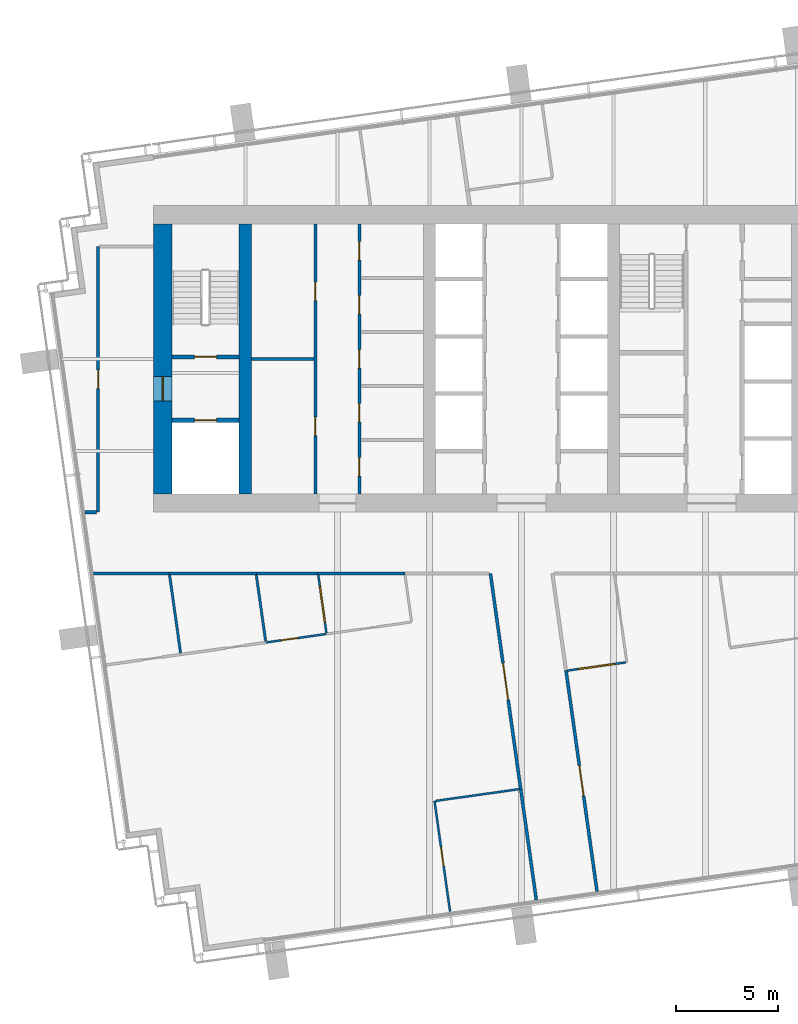
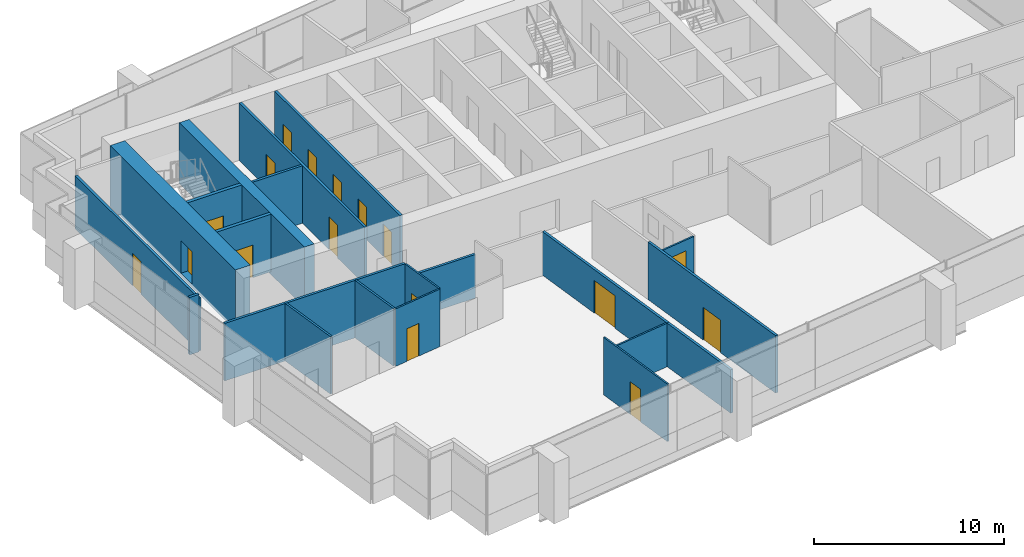
# One storey, part 9 of 18: 23 walls, 15 doors, 2 windows, 17 openings.
"""IFC4 building model written with IfcOpenShell, lengths in metres."""

from ifc_helpers import new_model, si_unit, direction, frame, frame_2d, origin, place, context, subcontext, project, spatial, rectangle, extrude, material, layer, layer_set, type_object, element, fill, save


model = new_model("IFC4")

# Units and contexts
model_context = context("Model", 3, precision=1e-05, world=origin(), true_north=direction((0.0, 1.0)))
body_context = subcontext(model_context, "Body", "Model", "MODEL_VIEW")
ifc_project = project(units=[si_unit("LENGTHUNIT", "METRE"), si_unit("AREAUNIT", "SQUARE_METRE"), si_unit("VOLUMEUNIT", "CUBIC_METRE"), si_unit("PLANEANGLEUNIT", "RADIAN"), si_unit("MASSUNIT", "GRAM", prefix="KILO")], contexts=[model_context])

# Site, building, storey
site_placement = place(None, origin())
site = spatial("IfcSite", under=ifc_project, at=site_placement, CompositionType="ELEMENT")
building_placement = place(site_placement, origin())
building = spatial("IfcBuilding", under=site, at=building_placement, Name="Rattan Terrace Tower", CompositionType="ELEMENT")
storey_placement = place(building_placement, frame((0.0, 0.0, 233.0)))
storey = spatial("IfcBuildingStorey", under=building, at=storey_placement, Name="L53", CompositionType="ELEMENT", Elevation=233.0)

# Wall, openings, doors
ifc_material_1 = material(Name="Gypsum board partition")
ifc_layer_1 = layer(ifc_material_1, 0.14990234375)
ifc_layer_set_1 = layer_set([ifc_layer_1], Name="Core partition 150")
wall_type_1 = type_object("IfcWallType", Name="Core partition 150", PredefinedType="PARTITIONING", material=ifc_layer_set_1)
wall_1_placement = place(storey_placement, frame((-10.074951171875, -6.60009765625, 0.0), z_axis=(0.0, 0.0, 1.0), x_axis=(0.0, 1.0, 0.0)))
wall_1 = element("IfcWall", 1, at=wall_1_placement, inside=storey, type_object=wall_type_1, Name="Core room wall", PredefinedType="PARTITIONING", context=body_context, shape_type="SweptSolid", body=[
    extrude(rectangle(XDim=13.2001953125, YDim=0.14990234375, at=frame_2d((6.60009765625, 0.0))), origin(), (0.0, 0.0, 1.0), 3.699951171875),
])
opening_1_placement = place(wall_1_placement, frame((2.85009765625, 0.0, 0.0)))
opening_1 = element("IfcOpeningElement", 2, at=opening_1_placement, cuts=wall_1, Name="Opening L53-D005", PredefinedType="OPENING", context=body_context, shape_type="SweptSolid", body=[
    extrude(rectangle(XDim=0.89990234375, YDim=2.10009765625, at=frame_2d((0.449951171875, 1.050048828125))), frame((0.0, 0.08544921875, 0.0), z_axis=(0.0, -1.0, 0.0), x_axis=(1.0, 0.0, 0.0)), (0.0, 0.0, 1.0), 0.1708984375),
])
opening_2_placement = place(wall_1_placement, frame((9.449951171875, 0.0, 0.0)))
opening_2 = element("IfcOpeningElement", 3, at=opening_2_placement, cuts=wall_1, Name="Opening L53-D006", PredefinedType="OPENING", context=body_context, shape_type="SweptSolid", body=[
    extrude(rectangle(XDim=0.89990234375, YDim=2.10009765625, at=frame_2d((0.449951171875, 1.050048828125))), frame((0.0, 0.08544921875, 0.0), z_axis=(0.0, -1.0, 0.0), x_axis=(1.0, 0.0, 0.0)), (0.0, 0.0, 1.0), 0.1708984375),
])
ifc_material_2 = material(Name="Hollow-metal fire door leaf")
door_type_1 = type_object("IfcDoorType", Name="Core service room door 900", OperationType="NOTDEFINED", PredefinedType="DOOR", material=ifc_material_2)
door_1_placement = place(opening_1_placement, origin())
door_1 = element("IfcDoor", 4, at=door_1_placement, inside=storey, type_object=door_type_1, Name="Door L53-D005", OperationType="SINGLE_SWING_LEFT", OverallHeight=2.10009765625, OverallWidth=0.89990234375, PredefinedType="DOOR", context=body_context, shape_type="SweptSolid", body=[
    extrude(rectangle(XDim=0.89990234375, YDim=2.10009765625, at=frame_2d((0.449951171875, 1.050048828125))), frame((0.0, 0.02490234375, 0.0), z_axis=(0.0, -1.0, 0.0), x_axis=(1.0, 0.0, 0.0)), (0.0, 0.0, 1.0), 0.050048828125),
])
fill(opening_1, door_1)
door_2_placement = place(opening_2_placement, origin())
door_2 = element("IfcDoor", 5, at=door_2_placement, inside=storey, type_object=door_type_1, Name="Door L53-D006", OperationType="SINGLE_SWING_RIGHT", OverallHeight=2.10009765625, OverallWidth=0.89990234375, PredefinedType="DOOR", context=body_context, shape_type="SweptSolid", body=[
    extrude(rectangle(XDim=0.89990234375, YDim=2.10009765625, at=frame_2d((0.449951171875, 1.050048828125))), frame((0.0, 0.02490234375, 0.0), z_axis=(0.0, -1.0, 0.0), x_axis=(1.0, 0.0, 0.0)), (0.0, 0.0, 1.0), 0.050048828125),
])
fill(opening_2, door_2)

# Wall
wall_2_placement = place(storey_placement, frame((-13.199951171875, 0.0, 0.0), z_axis=(0.0, 0.0, 1.0), x_axis=(1.0, 0.0, 0.0)))
element("IfcWall", 6, at=wall_2_placement, inside=storey, type_object=wall_type_1, Name="Core room wall", PredefinedType="PARTITIONING", context=body_context, shape_type="SweptSolid", body=[
    extrude(rectangle(XDim=3.050048828125, YDim=0.14990234375, at=frame_2d((1.52490234375, 0.0))), origin(), (0.0, 0.0, 1.0), 3.699951171875),
])

# Wall, openings, doors
wall_3_placement = place(storey_placement, frame((-7.925048828125, -6.60009765625, 0.0), z_axis=(0.0, 0.0, 1.0), x_axis=(0.0, 1.0, 0.0)))
wall_3 = element("IfcWall", 7, at=wall_3_placement, inside=storey, type_object=wall_type_1, Name="Core room wall", PredefinedType="PARTITIONING", context=body_context, shape_type="SweptSolid", body=[
    extrude(rectangle(XDim=13.2001953125, YDim=0.14990234375, at=frame_2d((6.60009765625, 0.0))), origin(), (0.0, 0.0, 1.0), 3.699951171875),
])
opening_3_placement = place(wall_3_placement, frame((0.8701171875, 0.0, 0.0)))
opening_3 = element("IfcOpeningElement", 8, at=opening_3_placement, cuts=wall_3, Name="Opening L53-D007", PredefinedType="OPENING", context=body_context, shape_type="SweptSolid", body=[
    extrude(rectangle(XDim=0.89990234375, YDim=2.10009765625, at=frame_2d((0.449951171875, 1.050048828125))), frame((0.0, 0.08544921875, 0.0), z_axis=(0.0, -1.0, 0.0), x_axis=(1.0, 0.0, 0.0)), (0.0, 0.0, 1.0), 0.1708984375),
])
opening_4_placement = place(wall_3_placement, frame((3.510009765625, 0.0, 0.0)))
opening_4 = element("IfcOpeningElement", 9, at=opening_4_placement, cuts=wall_3, Name="Opening L53-D008", PredefinedType="OPENING", context=body_context, shape_type="SweptSolid", body=[
    extrude(rectangle(XDim=0.89990234375, YDim=2.10009765625, at=frame_2d((0.449951171875, 1.050048828125))), frame((0.0, 0.08544921875, 0.0), z_axis=(0.0, -1.0, 0.0), x_axis=(1.0, 0.0, 0.0)), (0.0, 0.0, 1.0), 0.1708984375),
])
opening_5_placement = place(wall_3_placement, frame((6.14990234375, 0.0, 0.0)))
opening_5 = element("IfcOpeningElement", 10, at=opening_5_placement, cuts=wall_3, Name="Opening L53-D009", PredefinedType="OPENING", context=body_context, shape_type="SweptSolid", body=[
    extrude(rectangle(XDim=0.89990234375, YDim=2.10009765625, at=frame_2d((0.449951171875, 1.050048828125))), frame((0.0, 0.08544921875, 0.0), z_axis=(0.0, -1.0, 0.0), x_axis=(1.0, 0.0, 0.0)), (0.0, 0.0, 1.0), 0.1708984375),
])
opening_6_placement = place(wall_3_placement, frame((8.7900390625, 0.0, 0.0)))
opening_6 = element("IfcOpeningElement", 11, at=opening_6_placement, cuts=wall_3, Name="Opening L53-D010", PredefinedType="OPENING", context=body_context, shape_type="SweptSolid", body=[
    extrude(rectangle(XDim=0.89990234375, YDim=2.10009765625, at=frame_2d((0.449951171875, 1.050048828125))), frame((0.0, 0.08544921875, 0.0), z_axis=(0.0, -1.0, 0.0), x_axis=(1.0, 0.0, 0.0)), (0.0, 0.0, 1.0), 0.1708984375),
])
opening_7_placement = place(wall_3_placement, frame((11.429931640625, 0.0, 0.0)))
opening_7 = element("IfcOpeningElement", 12, at=opening_7_placement, cuts=wall_3, Name="Opening L53-D011", PredefinedType="OPENING", context=body_context, shape_type="SweptSolid", body=[
    extrude(rectangle(XDim=0.89990234375, YDim=2.10009765625, at=frame_2d((0.449951171875, 1.050048828125))), frame((0.0, 0.08544921875, 0.0), z_axis=(0.0, -1.0, 0.0), x_axis=(1.0, 0.0, 0.0)), (0.0, 0.0, 1.0), 0.1708984375),
])
door_3_placement = place(opening_3_placement, origin())
door_3 = element("IfcDoor", 13, at=door_3_placement, inside=storey, type_object=door_type_1, Name="Door L53-D007", OperationType="SINGLE_SWING_LEFT", OverallHeight=2.10009765625, OverallWidth=0.89990234375, PredefinedType="DOOR", context=body_context, shape_type="SweptSolid", body=[
    extrude(rectangle(XDim=0.89990234375, YDim=2.10009765625, at=frame_2d((0.449951171875, 1.050048828125))), frame((0.0, 0.02490234375, 0.0), z_axis=(0.0, -1.0, 0.0), x_axis=(1.0, 0.0, 0.0)), (0.0, 0.0, 1.0), 0.050048828125),
])
fill(opening_3, door_3)
door_4_placement = place(opening_4_placement, origin())
door_4 = element("IfcDoor", 14, at=door_4_placement, inside=storey, type_object=door_type_1, Name="Door L53-D008", OperationType="SINGLE_SWING_RIGHT", OverallHeight=2.10009765625, OverallWidth=0.89990234375, PredefinedType="DOOR", context=body_context, shape_type="SweptSolid", body=[
    extrude(rectangle(XDim=0.89990234375, YDim=2.10009765625, at=frame_2d((0.449951171875, 1.050048828125))), frame((0.0, 0.02490234375, 0.0), z_axis=(0.0, -1.0, 0.0), x_axis=(1.0, 0.0, 0.0)), (0.0, 0.0, 1.0), 0.050048828125),
])
fill(opening_4, door_4)
door_5_placement = place(opening_5_placement, origin())
door_5 = element("IfcDoor", 15, at=door_5_placement, inside=storey, type_object=door_type_1, Name="Door L53-D009", OperationType="SINGLE_SWING_LEFT", OverallHeight=2.10009765625, OverallWidth=0.89990234375, PredefinedType="DOOR", context=body_context, shape_type="SweptSolid", body=[
    extrude(rectangle(XDim=0.89990234375, YDim=2.10009765625, at=frame_2d((0.449951171875, 1.050048828125))), frame((0.0, 0.02490234375, 0.0), z_axis=(0.0, -1.0, 0.0), x_axis=(1.0, 0.0, 0.0)), (0.0, 0.0, 1.0), 0.050048828125),
])
fill(opening_5, door_5)
door_6_placement = place(opening_6_placement, origin())
door_6 = element("IfcDoor", 16, at=door_6_placement, inside=storey, type_object=door_type_1, Name="Door L53-D010", OperationType="SINGLE_SWING_RIGHT", OverallHeight=2.10009765625, OverallWidth=0.89990234375, PredefinedType="DOOR", context=body_context, shape_type="SweptSolid", body=[
    extrude(rectangle(XDim=0.89990234375, YDim=2.10009765625, at=frame_2d((0.449951171875, 1.050048828125))), frame((0.0, 0.02490234375, 0.0), z_axis=(0.0, -1.0, 0.0), x_axis=(1.0, 0.0, 0.0)), (0.0, 0.0, 1.0), 0.050048828125),
])
fill(opening_6, door_6)
door_7_placement = place(opening_7_placement, origin())
door_7 = element("IfcDoor", 17, at=door_7_placement, inside=storey, type_object=door_type_1, Name="Door L53-D011", OperationType="SINGLE_SWING_LEFT", OverallHeight=2.10009765625, OverallWidth=0.89990234375, PredefinedType="DOOR", context=body_context, shape_type="SweptSolid", body=[
    extrude(rectangle(XDim=0.89990234375, YDim=2.10009765625, at=frame_2d((0.449951171875, 1.050048828125))), frame((0.0, 0.02490234375, 0.0), z_axis=(0.0, -1.0, 0.0), x_axis=(1.0, 0.0, 0.0)), (0.0, 0.0, 1.0), 0.050048828125),
])
fill(opening_7, door_7)

# Wall, opening, door
ifc_material_3 = material(Name="Gypsum board partition")
ifc_layer_2 = layer(ifc_material_3, 0.199951171875)
ifc_layer_set_2 = layer_set([ifc_layer_2], Name="Core partition 200")
wall_type_2 = type_object("IfcWallType", Name="Core partition 200", PredefinedType="PARTITIONING", material=ifc_layer_set_2)
wall_4_placement = place(storey_placement, frame((-17.10009765625, -3.0, 0.0), z_axis=(0.0, 0.0, 1.0), x_axis=(1.0, 0.0, 0.0)))
wall_4 = element("IfcWall", 18, at=wall_4_placement, inside=storey, type_object=wall_type_2, Name="Fire-fighting lobby wall", PredefinedType="PARTITIONING", context=body_context, shape_type="SweptSolid", body=[
    extrude(rectangle(XDim=3.300048828125, YDim=0.199951171875, at=frame_2d((1.64990234375, 0.0))), origin(), (0.0, 0.0, 1.0), 3.699951171875),
])
opening_8_placement = place(wall_4_placement, frame((1.10009765625, 0.0, 0.0)))
opening_8 = element("IfcOpeningElement", 19, at=opening_8_placement, cuts=wall_4, Name="Opening L53-LD-FF1", PredefinedType="OPENING", context=body_context, shape_type="SweptSolid", body=[
    extrude(rectangle(XDim=1.10009765625, YDim=2.10009765625, at=frame_2d((0.550048828125, 1.050048828125))), frame((0.0, 0.110595703125, 0.0), z_axis=(0.0, -1.0, 0.0), x_axis=(1.0, 0.0, 0.0)), (0.0, 0.0, 1.0), 0.220947265625),
])
ifc_material_4 = material(Name="Brushed stainless landing door panel")
door_type_2 = type_object("IfcDoorType", Name="Core lift landing door 1100", OperationType="DOUBLE_DOOR_SLIDING", PredefinedType="DOOR", material=ifc_material_4)
door_8_placement = place(opening_8_placement, origin())
door_8 = element("IfcDoor", 20, at=door_8_placement, inside=storey, type_object=door_type_2, Name="Door L53-LD-FF1", OperationType="DOUBLE_DOOR_SLIDING", OverallHeight=2.10009765625, OverallWidth=1.10009765625, PredefinedType="DOOR", context=body_context, shape_type="SweptSolid", body=[
    extrude(rectangle(XDim=1.10009765625, YDim=2.10009765625, at=frame_2d((0.550048828125, 1.050048828125))), frame((0.0, 0.02490234375, 0.0), z_axis=(0.0, -1.0, 0.0), x_axis=(1.0, 0.0, 0.0)), (0.0, 0.0, 1.0), 0.050048828125),
])
fill(opening_8, door_8)

wall_5_placement = place(storey_placement, frame((-17.10009765625, 0.10009765625, 0.0), z_axis=(0.0, 0.0, 1.0), x_axis=(1.0, 0.0, 0.0)))
wall_5 = element("IfcWall", 21, at=wall_5_placement, inside=storey, type_object=wall_type_2, Name="Stair enclosure wall", PredefinedType="PARTITIONING", context=body_context, shape_type="SweptSolid", body=[
    extrude(rectangle(XDim=3.300048828125, YDim=0.199951171875, at=frame_2d((1.64990234375, 0.0))), origin(), (0.0, 0.0, 1.0), 3.699951171875),
])
opening_9_placement = place(wall_5_placement, frame((1.10009765625, 0.0, 0.0)))
opening_9 = element("IfcOpeningElement", 22, at=opening_9_placement, cuts=wall_5, Name="Opening L53-D002", PredefinedType="OPENING", context=body_context, shape_type="SweptSolid", body=[
    extrude(rectangle(XDim=1.10009765625, YDim=2.10009765625, at=frame_2d((0.550048828125, 1.050048828125))), frame((0.0, 0.110595703125, 0.0), z_axis=(0.0, -1.0, 0.0), x_axis=(1.0, 0.0, 0.0)), (0.0, 0.0, 1.0), 0.220947265625),
])
ifc_material_5 = material(Name="Hollow-metal fire door leaf")
door_type_3 = type_object("IfcDoorType", Name="Core stair door 1100", OperationType="NOTDEFINED", PredefinedType="DOOR", material=ifc_material_5)
door_9_placement = place(opening_9_placement, origin())
door_9 = element("IfcDoor", 23, at=door_9_placement, inside=storey, type_object=door_type_3, Name="Door L53-D002", OperationType="SINGLE_SWING_RIGHT", OverallHeight=2.10009765625, OverallWidth=1.10009765625, PredefinedType="DOOR", context=body_context, shape_type="SweptSolid", body=[
    extrude(rectangle(XDim=1.10009765625, YDim=2.10009765625, at=frame_2d((0.550048828125, 1.050048828125))), frame((0.0, 0.02490234375, 0.0), z_axis=(0.0, -1.0, 0.0), x_axis=(1.0, 0.0, 0.0)), (0.0, 0.0, 1.0), 0.050048828125),
])
fill(opening_9, door_9)

ifc_material_6 = material(Name="Concrete C50/60", Category="concrete")
ifc_layer_3 = layer(ifc_material_6, 0.89990234375)
ifc_layer_set_3 = layer_set([ifc_layer_3], Name="Core ring wall 900 C50/60")
wall_type_3 = type_object("IfcWallType", Name="Core ring wall 900 C50/60", PredefinedType="SHEAR", material=ifc_layer_set_3)
wall_6_placement = place(storey_placement, frame((-17.550048828125, -6.60009765625, -0.199951171875), z_axis=(0.0, 0.0, 1.0), x_axis=(0.0, 1.0, 0.0)))
wall_6 = element("IfcWall", 24, at=wall_6_placement, inside=storey, type_object=wall_type_3, Name="Rear core wall west", PredefinedType="SHEAR", context=body_context, shape_type="SweptSolid", body=[
    extrude(rectangle(XDim=13.2001953125, YDim=0.89990234375, at=frame_2d((6.60009765625, 0.0))), origin(), (0.0, 0.0, 1.0), 3.89990234375),
])
opening_10_placement = place(wall_6_placement, frame((4.550048828125, 0.0, 0.199951171875)))
opening_10 = element("IfcOpeningElement", 25, at=opening_10_placement, cuts=wall_6, Name="Opening L53-D001", PredefinedType="OPENING", context=body_context, shape_type="SweptSolid", body=[
    extrude(rectangle(XDim=1.199951171875, YDim=2.10009765625, at=frame_2d((0.60009765625, 1.050048828125))), frame((0.0, 0.46044921875, 0.0), z_axis=(0.0, -1.0, 0.0), x_axis=(1.0, 0.0, 0.0)), (0.0, 0.0, 1.0), 0.9208984375),
])
ifc_material_7 = material(Name="Hollow-metal fire door leaf")
door_type_4 = type_object("IfcDoorType", Name="Core fire-fighting lobby door 1200", OperationType="NOTDEFINED", PredefinedType="DOOR", material=ifc_material_7)
door_10_placement = place(opening_10_placement, origin())
door_10 = element("IfcDoor", 26, at=door_10_placement, inside=storey, type_object=door_type_4, Name="Door L53-D001", OperationType="SINGLE_SWING_LEFT", OverallHeight=2.10009765625, OverallWidth=1.199951171875, PredefinedType="DOOR", context=body_context, shape_type="SweptSolid", body=[
    extrude(rectangle(XDim=1.199951171875, YDim=2.10009765625, at=frame_2d((0.60009765625, 1.050048828125))), frame((0.0, 0.02490234375, 0.0), z_axis=(0.0, -1.0, 0.0), x_axis=(1.0, 0.0, 0.0)), (0.0, 0.0, 1.0), 0.050048828125),
])
fill(opening_10, door_10)

# Wall
ifc_material_8 = material(Name="Concrete C50/60", Category="concrete")
ifc_layer_4 = layer(ifc_material_8, 0.60009765625)
ifc_layer_set_4 = layer_set([ifc_layer_4], Name="Core spine wall 600 C50/60")
wall_type_4 = type_object("IfcWallType", Name="Core spine wall 600 C50/60", PredefinedType="SHEAR", material=ifc_layer_set_4)
wall_7_placement = place(storey_placement, frame((-13.5, -6.60009765625, -0.199951171875), z_axis=(0.0, 0.0, 1.0), x_axis=(0.0, 1.0, 0.0)))
element("IfcWall", 27, at=wall_7_placement, inside=storey, type_object=wall_type_4, Name="Core spine wall 1", PredefinedType="SHEAR", context=body_context, shape_type="SweptSolid", body=[
    extrude(rectangle(XDim=13.2001953125, YDim=0.60009765625, at=frame_2d((6.60009765625, 0.0))), origin(), (0.0, 0.0, 1.0), 3.89990234375),
])

# Wall, opening, door
ifc_material_9 = material(Name="Gypsum board partition on steel studs", Category="steel")
ifc_layer_5 = layer(ifc_material_9, 0.10009765625)
ifc_layer_set_5 = layer_set([ifc_layer_5], Name="Floors Partition 100")
wall_type_5 = type_object("IfcWallType", Name="Floors Partition 100", PredefinedType="PARTITIONING", material=ifc_layer_set_5)
wall_8_placement = place(storey_placement, frame((-4.2490234375, -21.625, 0.0), z_axis=(0.0, 0.0, 1.0), x_axis=(0.13906298859, -0.990283537783, 0.0)))
wall_8 = element("IfcWall", 28, at=wall_8_placement, inside=storey, type_object=wall_type_5, Name="pt-L53-025", PredefinedType="PARTITIONING", context=body_context, shape_type="SweptSolid", body=[
    extrude(rectangle(XDim=5.479248046875, YDim=0.10009765625, at=frame_2d((2.73974609375, 0.0))), origin(), (0.0, 0.0, 1.0), 3.699951171875),
])
opening_11_placement = place(wall_8_placement, frame((2.2900390625, 0.0, 0.0)))
opening_11 = element("IfcOpeningElement", 29, at=opening_11_placement, cuts=wall_8, Name="Opening L53-D101", PredefinedType="OPENING", context=body_context, shape_type="SweptSolid", body=[
    extrude(rectangle(XDim=0.89990234375, YDim=2.10009765625, at=frame_2d((0.449951171875, 1.050048828125))), frame((0.0, 0.060546875, 0.0), z_axis=(0.0, -1.0, 0.0), x_axis=(1.0, 0.0, 0.0)), (0.0, 0.0, 1.0), 0.12109375),
])
ifc_material_10 = material(Name="Solid core timber door, painted", Category="wood")
door_type_5 = type_object("IfcDoorType", Name="Floors Door 900x2100", OperationType="NOTDEFINED", PredefinedType="DOOR", material=ifc_material_10)
door_11_placement = place(opening_11_placement, origin())
door_11 = element("IfcDoor", 30, at=door_11_placement, inside=storey, type_object=door_type_5, Name="d-L53-101", OperationType="SINGLE_SWING_RIGHT", OverallHeight=2.10009765625, OverallWidth=0.89990234375, PredefinedType="DOOR", context=body_context, shape_type="SweptSolid", body=[
    extrude(rectangle(XDim=0.89990234375, YDim=2.10009765625, at=frame_2d((0.449951171875, 1.050048828125))), frame((0.0, 0.02490234375, 0.0), z_axis=(0.0, -1.0, 0.0), x_axis=(1.0, 0.0, 0.0)), (0.0, 0.0, 1.0), 0.050048828125),
])
fill(opening_11, door_11)

# Wall
wall_9_placement = place(storey_placement, frame((-0.10888671875, -21.04296875, 0.0), z_axis=(0.0, 0.0, 1.0), x_axis=(-0.990263837068, -0.139203207563, 0.0)))
element("IfcWall", 31, at=wall_9_placement, inside=storey, type_object=wall_type_5, Name="pt-L53-026", PredefinedType="PARTITIONING", context=body_context, shape_type="SweptSolid", body=[
    extrude(rectangle(XDim=4.13037109375, YDim=0.10009765625, at=frame_2d((2.065185546875, 0.0))), origin(), (0.0, 0.0, 1.0), 2.800048828125),
])

# Wall, opening, door
wall_10_placement = place(storey_placement, frame((-12.47998046875, -13.867919921875, 0.0), z_axis=(0.0, 0.0, 1.0), x_axis=(0.990270259545, 0.139157511691, 0.0)))
wall_10 = element("IfcWall", 32, at=wall_10_placement, inside=storey, type_object=wall_type_5, Name="pt-L53-029", PredefinedType="PARTITIONING", context=body_context, shape_type="SweptSolid", body=[
    extrude(rectangle(XDim=2.959716796875, YDim=0.10009765625, at=frame_2d((1.47998046875, 0.0))), origin(), (0.0, 0.0, 1.0), 3.699951171875),
])
opening_12_placement = place(wall_10_placement, frame((0.748046875, 0.0, 0.0)))
opening_12 = element("IfcOpeningElement", 33, at=opening_12_placement, cuts=wall_10, Name="Opening L53-D104", PredefinedType="OPENING", context=body_context, shape_type="SweptSolid", body=[
    extrude(rectangle(XDim=0.800048828125, YDim=2.10009765625, at=frame_2d((0.39990234375, 1.050048828125))), frame((0.0, 0.060546875, 0.0), z_axis=(0.0, -1.0, 0.0), x_axis=(1.0, 0.0, 0.0)), (0.0, 0.0, 1.0), 0.12109375),
])
ifc_material_11 = material(Name="Solid core timber door, painted", Category="wood")
door_type_6 = type_object("IfcDoorType", Name="Floors Store Door 800x2100", OperationType="NOTDEFINED", PredefinedType="DOOR", material=ifc_material_11)
door_12_placement = place(opening_12_placement, origin())
door_12 = element("IfcDoor", 34, at=door_12_placement, inside=storey, type_object=door_type_6, Name="d-L53-104", OperationType="SINGLE_SWING_LEFT", OverallHeight=2.10009765625, OverallWidth=0.800048828125, PredefinedType="DOOR", context=body_context, shape_type="SweptSolid", body=[
    extrude(rectangle(XDim=0.800048828125, YDim=2.10009765625, at=frame_2d((0.39990234375, 1.050048828125))), frame((0.0, 0.02490234375, 0.0), z_axis=(0.0, -1.0, 0.0), x_axis=(1.0, 0.0, 0.0)), (0.0, 0.0, 1.0), 0.050048828125),
])
fill(opening_12, door_12)

# Wall, opening, window
wall_11_placement = place(storey_placement, frame((-9.93408203125, -10.568115234375, 0.0), z_axis=(0.0, 0.0, 1.0), x_axis=(0.139092802353, -0.990279350655, 0.0)))
wall_11 = element("IfcWall", 35, at=wall_11_placement, inside=storey, type_object=wall_type_5, Name="pt-L53-034", PredefinedType="PARTITIONING", context=body_context, shape_type="SweptSolid", body=[
    extrude(rectangle(XDim=2.86279296875, YDim=0.10009765625, at=frame_2d((1.431396484375, 0.0))), origin(), (0.0, 0.0, 1.0), 3.699951171875),
])
opening_13_placement = place(wall_11_placement, frame((0.5400390625, 0.0, 0.89990234375)))
opening_13 = element("IfcOpeningElement", 36, at=opening_13_placement, cuts=wall_11, Name="Opening L53-W100", PredefinedType="OPENING", context=body_context, shape_type="SweptSolid", body=[
    extrude(rectangle(XDim=1.800048828125, YDim=1.199951171875, at=frame_2d((0.89990234375, 0.60009765625))), frame((0.0, 0.060546875, 0.0), z_axis=(0.0, -1.0, 0.0), x_axis=(1.0, 0.0, 0.0)), (0.0, 0.0, 1.0), 0.12109375),
])
ifc_material_12 = material(Name="Glass, clear, fixed in aluminium frame", Category="aluminium")
window_type = type_object("IfcWindowType", Name="Interior Vision Window 1800x1200", PartitioningType="SINGLE_PANEL", PredefinedType="WINDOW", material=ifc_material_12)
window_1_placement = place(opening_13_placement, origin())
window_1 = element("IfcWindow", 37, at=window_1_placement, inside=storey, type_object=window_type, Name="w-L53-100", OverallHeight=1.199951171875, OverallWidth=1.800048828125, PartitioningType="SINGLE_PANEL", PredefinedType="WINDOW", context=body_context, shape_type="SweptSolid", body=[
    extrude(rectangle(XDim=1.800048828125, YDim=1.199951171875, at=frame_2d((0.89990234375, 0.60009765625))), frame((0.0, 0.030029296875, 0.0), z_axis=(0.0, -1.0, 0.0), x_axis=(1.0, 0.0, 0.0)), (0.0, 0.0, 1.0), 0.06005859375),
])
fill(opening_13, window_1)

wall_12_placement = place(storey_placement, frame((2.258056640625, -15.242919921875, 0.0), z_axis=(0.0, 0.0, 1.0), x_axis=(0.990271399447, 0.139149399699, 0.0)))
wall_12 = element("IfcWall", 38, at=wall_12_placement, inside=storey, type_object=wall_type_5, Name="pt-L53-035", PredefinedType="PARTITIONING", context=body_context, shape_type="SweptSolid", body=[
    extrude(rectangle(XDim=2.8740234375, YDim=0.10009765625, at=frame_2d((1.43701171875, 0.0))), origin(), (0.0, 0.0, 1.0), 2.800048828125),
])
opening_14_placement = place(wall_12_placement, frame((0.537109375, 0.0, 0.89990234375)))
opening_14 = element("IfcOpeningElement", 39, at=opening_14_placement, cuts=wall_12, Name="Opening L53-W101", PredefinedType="OPENING", context=body_context, shape_type="SweptSolid", body=[
    extrude(rectangle(XDim=1.800048828125, YDim=1.199951171875, at=frame_2d((0.89990234375, 0.60009765625))), frame((0.0, 0.060546875, 0.0), z_axis=(0.0, -1.0, 0.0), x_axis=(1.0, 0.0, 0.0)), (0.0, 0.0, 1.0), 0.12109375),
])
window_2_placement = place(opening_14_placement, origin())
window_2 = element("IfcWindow", 40, at=window_2_placement, inside=storey, type_object=window_type, Name="w-L53-101", OverallHeight=1.199951171875, OverallWidth=1.800048828125, PartitioningType="SINGLE_PANEL", PredefinedType="WINDOW", context=body_context, shape_type="SweptSolid", body=[
    extrude(rectangle(XDim=1.800048828125, YDim=1.199951171875, at=frame_2d((0.89990234375, 0.60009765625))), frame((0.0, 0.030029296875, 0.0), z_axis=(0.0, -1.0, 0.0), x_axis=(1.0, 0.0, 0.0)), (0.0, 0.0, 1.0), 0.06005859375),
])
fill(opening_14, window_2)

# Wall, opening, door
ifc_material_13 = material(Name="Gypsum board partition on steel studs, fire rated", Category="steel")
ifc_layer_6 = layer(ifc_material_13, 0.14990234375)
ifc_layer_set_6 = layer_set([ifc_layer_6], Name="Floors Tenancy Wall 150")
wall_type_6 = type_object("IfcWallType", Name="Floors Tenancy Wall 150", PredefinedType="PARTITIONING", material=ifc_layer_set_6)
wall_13_placement = place(storey_placement, frame((-0.031982421875, -21.052978515625, 0.0), z_axis=(0.0, 0.0, 1.0), x_axis=(-0.139153385275, 0.9902708394, 0.0)))
wall_13 = element("IfcWall", 41, at=wall_13_placement, inside=storey, type_object=wall_type_6, Name="pt-L53-002", PredefinedType="PARTITIONING", context=body_context, shape_type="SweptSolid", body=[
    extrude(rectangle(XDim=10.65673828125, YDim=0.14990234375, at=frame_2d((5.328369140625, 0.0))), origin(), (0.0, 0.0, 1.0), 2.800048828125),
])
opening_15_placement = place(wall_13_placement, frame((4.427978515625, 0.0, 0.0)))
opening_15 = element("IfcOpeningElement", 42, at=opening_15_placement, cuts=wall_13, Name="Opening L53-D100", PredefinedType="OPENING", context=body_context, shape_type="SweptSolid", body=[
    extrude(rectangle(XDim=1.800048828125, YDim=2.10009765625, at=frame_2d((0.89990234375, 1.050048828125))), frame((0.0, 0.08544921875, 0.0), z_axis=(0.0, -1.0, 0.0), x_axis=(1.0, 0.0, 0.0)), (0.0, 0.0, 1.0), 0.1708984375),
])
ifc_material_14 = material(Name="Steel fire door set", Category="steel")
door_type_7 = type_object("IfcDoorType", Name="Floors Fire Door Pair FD30S 1800x2100", OperationType="NOTDEFINED", PredefinedType="DOOR", material=ifc_material_14)
door_13_placement = place(opening_15_placement, origin())
door_13 = element("IfcDoor", 43, at=door_13_placement, inside=storey, type_object=door_type_7, Name="d-L53-100", OperationType="DOUBLE_DOOR_SINGLE_SWING", OverallHeight=2.10009765625, OverallWidth=1.800048828125, PredefinedType="DOOR", context=body_context, shape_type="SweptSolid", body=[
    extrude(rectangle(XDim=1.800048828125, YDim=2.10009765625, at=frame_2d((0.89990234375, 1.050048828125))), frame((0.0, 0.02490234375, 0.0), z_axis=(0.0, -1.0, 0.0), x_axis=(1.0, 0.0, 0.0)), (0.0, 0.0, 1.0), 0.050048828125),
])
fill(opening_15, door_13)

# Walls
wall_14_placement = place(storey_placement, frame((0.72802734375, -26.4599609375, 0.0), z_axis=(0.0, 0.0, 1.0), x_axis=(-0.139192487281, 0.990265343978, 0.0)))
element("IfcWall", 44, at=wall_14_placement, inside=storey, type_object=wall_type_6, Name="pt-L53-003", PredefinedType="PARTITIONING", context=body_context, shape_type="SweptSolid", body=[
    extrude(rectangle(XDim=5.460205078125, YDim=0.14990234375, at=frame_2d((2.72998046875, 0.0))), origin(), (0.0, 0.0, 1.0), 2.800048828125),
])
wall_15_placement = place(storey_placement, frame((-17.235107421875, -10.5, 0.0), z_axis=(0.0, 0.0, 1.0), x_axis=(-1.0, 0.0, 0.0)))
element("IfcWall", 45, at=wall_15_placement, inside=storey, type_object=wall_type_6, Name="pt-L53-004", PredefinedType="PARTITIONING", context=body_context, shape_type="SweptSolid", body=[
    extrude(rectangle(XDim=3.69482421875, YDim=0.14990234375, at=frame_2d((1.847412109375, 0.0))), origin(), (0.0, 0.0, 1.0), 3.699951171875),
])
wall_16_placement = place(storey_placement, frame((-12.9541015625, -10.5, 0.0), z_axis=(0.0, 0.0, 1.0), x_axis=(-1.0, 0.0, 0.0)))
element("IfcWall", 46, at=wall_16_placement, inside=storey, type_object=wall_type_6, Name="pt-L53-005", PredefinedType="PARTITIONING", context=body_context, shape_type="SweptSolid", body=[
    extrude(rectangle(XDim=4.281005859375, YDim=0.14990234375, at=frame_2d((2.140625, 0.0))), origin(), (0.0, 0.0, 1.0), 3.699951171875),
])
wall_17_placement = place(storey_placement, frame((-9.964111328125, -10.5, 0.0), z_axis=(0.0, 0.0, 1.0), x_axis=(-1.0, 0.0, 0.0)))
element("IfcWall", 47, at=wall_17_placement, inside=storey, type_object=wall_type_6, Name="pt-L53-006", PredefinedType="PARTITIONING", context=body_context, shape_type="SweptSolid", body=[
    extrude(rectangle(XDim=2.989990234375, YDim=0.14990234375, at=frame_2d((1.4951171875, 0.0))), origin(), (0.0, 0.0, 1.0), 3.699951171875),
])
wall_18_placement = place(storey_placement, frame((-5.68310546875, -10.5, 0.0), z_axis=(0.0, 0.0, 1.0), x_axis=(-1.0, 0.0, 0.0)))
element("IfcWall", 48, at=wall_18_placement, inside=storey, type_object=wall_type_6, Name="pt-L53-007", PredefinedType="PARTITIONING", context=body_context, shape_type="SweptSolid", body=[
    extrude(rectangle(XDim=4.281005859375, YDim=0.14990234375, at=frame_2d((2.140625, 0.0))), origin(), (0.0, 0.0, 1.0), 2.800048828125),
])

# Wall, opening, door
wall_19_placement = place(storey_placement, frame((2.179931640625, -15.23291015625, 0.0), z_axis=(0.0, 0.0, 1.0), x_axis=(0.139166413059, -0.990269008642, 0.0)))
wall_19 = element("IfcWall", 49, at=wall_19_placement, inside=storey, type_object=wall_type_6, Name="pt-L53-008", PredefinedType="PARTITIONING", context=body_context, shape_type="SweptSolid", body=[
    extrude(rectangle(XDim=10.915283203125, YDim=0.14990234375, at=frame_2d((5.45751953125, 0.0))), origin(), (0.0, 0.0, 1.0), 3.699951171875),
])
opening_16_placement = place(wall_19_placement, frame((4.70703125, 0.0, 0.0)))
opening_16 = element("IfcOpeningElement", 50, at=opening_16_placement, cuts=wall_19, Name="Opening L53-D106", PredefinedType="OPENING", context=body_context, shape_type="SweptSolid", body=[
    extrude(rectangle(XDim=1.5, YDim=2.10009765625, at=frame_2d((0.75, 1.050048828125))), frame((0.0, 0.08544921875, 0.0), z_axis=(0.0, -1.0, 0.0), x_axis=(1.0, 0.0, 0.0)), (0.0, 0.0, 1.0), 0.1708984375),
])
ifc_material_15 = material(Name="Steel fire door set", Category="steel")
door_type_8 = type_object("IfcDoorType", Name="Floors Unit Door Pair FD30S 1500x2100", OperationType="NOTDEFINED", PredefinedType="DOOR", material=ifc_material_15)
door_14_placement = place(opening_16_placement, origin())
door_14 = element("IfcDoor", 51, at=door_14_placement, inside=storey, type_object=door_type_8, Name="d-L53-106", OperationType="DOUBLE_DOOR_SINGLE_SWING", OverallHeight=2.10009765625, OverallWidth=1.5, PredefinedType="DOOR", context=body_context, shape_type="SweptSolid", body=[
    extrude(rectangle(XDim=1.5, YDim=2.10009765625, at=frame_2d((0.75, 1.050048828125))), frame((0.0, 0.02490234375, 0.0), z_axis=(0.0, -1.0, 0.0), x_axis=(1.0, 0.0, 0.0)), (0.0, 0.0, 1.0), 0.050048828125),
])
fill(opening_16, door_14)

# Wall
wall_20_placement = place(storey_placement, frame((-21.35205078125, -7.501953125, 0.0), z_axis=(0.0, 0.0, 1.0), x_axis=(1.0, 0.0, 0.0)))
element("IfcWall", 52, at=wall_20_placement, inside=storey, type_object=wall_type_6, Name="pt-L53-016", PredefinedType="PARTITIONING", context=body_context, shape_type="SweptSolid", body=[
    extrude(rectangle(XDim=0.5771484375, YDim=0.14990234375, at=frame_2d((0.28857421875, 0.0))), origin(), (0.0, 0.0, 1.0), 3.699951171875),
])

# Wall, opening, door
wall_21_placement = place(storey_placement, frame((-20.699951171875, -7.5, 0.0), z_axis=(0.0, 0.0, 1.0), x_axis=(0.0, 1.0, 0.0)))
wall_21 = element("IfcWall", 53, at=wall_21_placement, inside=storey, type_object=wall_type_6, Name="pt-L53-017", PredefinedType="PARTITIONING", context=body_context, shape_type="SweptSolid", body=[
    extrude(rectangle(XDim=13.0, YDim=0.14990234375, at=frame_2d((6.5, 0.0))), origin(), (0.0, 0.0, 1.0), 3.39990234375),
])
opening_17_placement = place(wall_21_placement, frame((6.050048828125, 0.0, 0.0)))
opening_17 = element("IfcOpeningElement", 54, at=opening_17_placement, cuts=wall_21, Name="Opening L53-D112", PredefinedType="OPENING", context=body_context, shape_type="SweptSolid", body=[
    extrude(rectangle(XDim=0.89990234375, YDim=2.10009765625, at=frame_2d((0.449951171875, 1.050048828125))), frame((0.0, 0.08544921875, 0.0), z_axis=(0.0, -1.0, 0.0), x_axis=(1.0, 0.0, 0.0)), (0.0, 0.0, 1.0), 0.1708984375),
])
ifc_material_16 = material(Name="Steel fire door set", Category="steel")
door_type_9 = type_object("IfcDoorType", Name="Floors Fire Door FD30S 900x2100", OperationType="NOTDEFINED", PredefinedType="DOOR", material=ifc_material_16)
door_15_placement = place(opening_17_placement, origin())
door_15 = element("IfcDoor", 55, at=door_15_placement, inside=storey, type_object=door_type_9, Name="d-L53-112", OperationType="SINGLE_SWING_LEFT", OverallHeight=2.10009765625, OverallWidth=0.89990234375, PredefinedType="DOOR", context=body_context, shape_type="SweptSolid", body=[
    extrude(rectangle(XDim=0.89990234375, YDim=2.10009765625, at=frame_2d((0.449951171875, 1.050048828125))), frame((0.0, 0.02490234375, 0.0), z_axis=(0.0, -1.0, 0.0), x_axis=(1.0, 0.0, 0.0)), (0.0, 0.0, 1.0), 0.050048828125),
])
fill(opening_17, door_15)

# Walls
ifc_material_17 = material(Name="Moisture resistant gypsum board partition on steel studs with service cavity", Category="steel")
ifc_layer_7 = layer(ifc_material_17, 0.1201171875)
ifc_layer_set_7 = layer_set([ifc_layer_7], Name="Floors Wet Wall 120")
wall_type_7 = type_object("IfcWallType", Name="Floors Wet Wall 120", PredefinedType="PARTITIONING", material=ifc_layer_set_7)
wall_22_placement = place(storey_placement, frame((-17.2060546875, -10.56689453125, 0.0), z_axis=(0.0, 0.0, 1.0), x_axis=(0.139158089335, -0.990270178372, 0.0)))
element("IfcWall", 56, at=wall_22_placement, inside=storey, type_object=wall_type_7, Name="pt-L53-032", PredefinedType="PARTITIONING", context=body_context, shape_type="SweptSolid", body=[
    extrude(rectangle(XDim=3.86669921875, YDim=0.1201171875, at=frame_2d((1.933349609375, 0.0))), origin(), (0.0, 0.0, 1.0), 3.699951171875),
])
wall_23_placement = place(storey_placement, frame((-12.965087890625, -10.56689453125, 0.0), z_axis=(0.0, 0.0, 1.0), x_axis=(0.139460290977, -0.990227664348, 0.0)))
element("IfcWall", 57, at=wall_23_placement, inside=storey, type_object=wall_type_7, Name="pt-L53-033", PredefinedType="PARTITIONING", context=body_context, shape_type="SweptSolid", body=[
    extrude(rectangle(XDim=3.277099609375, YDim=0.1201171875, at=frame_2d((1.638671875, 0.0))), origin(), (0.0, 0.0, 1.0), 3.699951171875),
])

save(model, "model.ifc")
